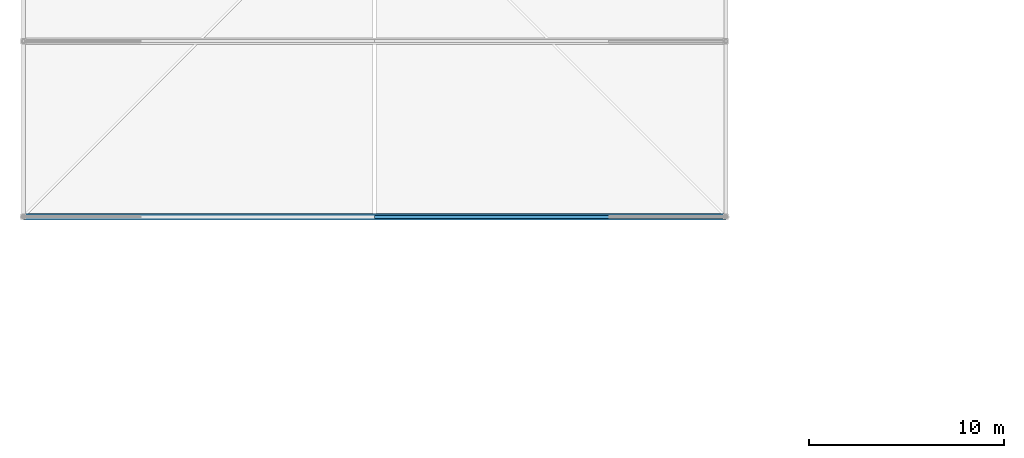
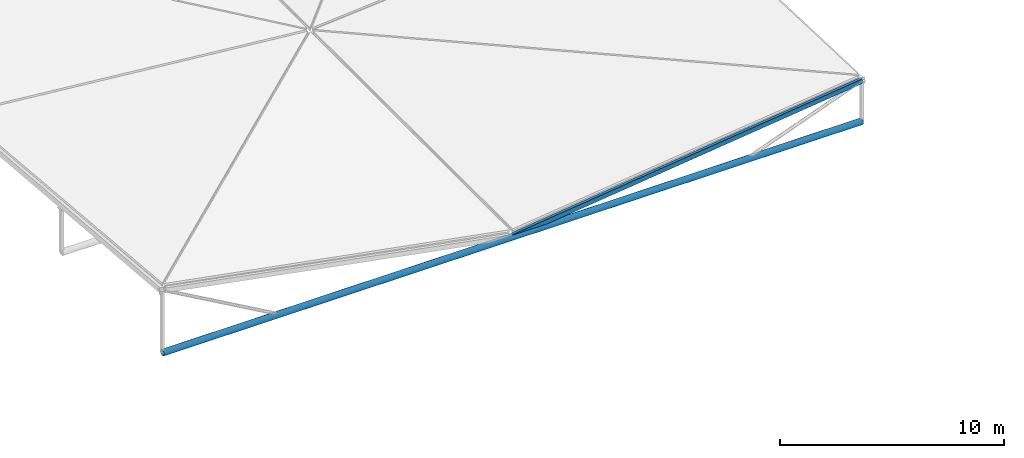
# One storey, part 4 of 44: 2 members.
"""IFC4 building model written with IfcOpenShell, lengths in metres."""

import ifcopenshell
import ifcopenshell.guid

model = None  # the IFC model being written
_history = None  # IfcOwnerHistory: only IFC2X3 demands one
_inside = {}  # id of a spatial element -> (the spatial element, [elements in it])
_under = {}  # id of a project, library or spatial element -> (it, [spatial elements below it])
_declared = {}  # id of a project -> (the project, [libraries it declares])
_typed = {}  # id of a type object -> (the type object, [elements of that type])
_made_of = {}  # id of a material, layer set ... -> (it, [elements and type objects made of it])


def new_model(schema):
    """Start an empty IFC model of exactly this schema.

    Asked for "IFC4X3", IfcOpenShell would pick the latest addendum, in which some entities
    have other attributes; the version numbers below select the first issue.
    IFC2X3 requires an IfcOwnerHistory on every rooted entity: one is made here for all.
    """
    global model, _history
    if schema == "IFC4X3":
        model = ifcopenshell.file(schema_version=(4, 3, 0, 0))
    else:
        model = ifcopenshell.file(schema=schema)
    _inside.clear()
    _under.clear()
    _declared.clear()
    _typed.clear()
    _made_of.clear()
    _history = None
    if model.schema == "IFC2X3":
        org = make("IfcOrganization", Name="unknown")
        user = make(
            "IfcPersonAndOrganization",
            ThePerson=make("IfcPerson", FamilyName="unknown"),
            TheOrganization=org,
        )
        app = make(
            "IfcApplication",
            ApplicationDeveloper=org,
            Version="unknown",
            ApplicationFullName="unknown",
            ApplicationIdentifier="unknown",
        )
        _history = make(
            "IfcOwnerHistory",
            OwningUser=user,
            OwningApplication=app,
            ChangeAction="ADDED",
            CreationDate=0,
        )
    return model


def make(cls, **values):
    """One entity of the class cls with the attributes given. An attribute that is None is left unset."""
    return model.create_entity(
        cls, **{name: value for name, value in values.items() if value is not None}
    )


def rooted(cls, **values):
    """An entity with a GlobalId (a new one), such as an element, a storey or a relation."""
    return make(cls, GlobalId=ifcopenshell.guid.new(), OwnerHistory=_history, **values)


def si_unit(unit_type, name, prefix=None):
    """IfcSIUnit, for example si_unit("LENGTHUNIT", "METRE", prefix="MILLI")."""
    return make("IfcSIUnit", UnitType=unit_type, Prefix=prefix, Name=name)


def assignment(units):
    """IfcUnitAssignment: the units of a project."""
    return None if units is None else make("IfcUnitAssignment", Units=units)


def point(xyz):
    """IfcCartesianPoint."""
    return None if xyz is None else make("IfcCartesianPoint", Coordinates=xyz)


def direction(xyz):
    """IfcDirection."""
    return None if xyz is None else make("IfcDirection", DirectionRatios=xyz)


def frame(location, z_axis=None, x_axis=None):
    """IfcAxis2Placement3D, a coordinate frame: its origin and axes. An axis left out is left unset."""
    return make(
        "IfcAxis2Placement3D",
        Location=point(location),
        Axis=direction(z_axis),
        RefDirection=direction(x_axis),
    )


def frame_2d(location, x_axis=None):
    """IfcAxis2Placement2D, a coordinate frame in the plane: its origin and x axis."""
    return make(
        "IfcAxis2Placement2D", Location=point(location), RefDirection=direction(x_axis)
    )


def origin():
    """The frame at (0, 0, 0) with its axes left unset."""
    return frame((0.0, 0.0, 0.0))


def origin_2d():
    """The frame at (0, 0) in the plane with its x axis left unset."""
    return frame_2d((0.0, 0.0))


def place(relative_to, where):
    """IfcLocalPlacement: puts the frame where relative to a parent placement (None: the world)."""
    return make(
        "IfcLocalPlacement", PlacementRelTo=relative_to, RelativePlacement=where
    )


def context(
    kind, dimensions, precision=None, world=None, true_north=None, identifier=None
):
    """IfcGeometricRepresentationContext, for example the 3D "Model" context."""
    return make(
        "IfcGeometricRepresentationContext",
        ContextIdentifier=identifier,
        ContextType=kind,
        CoordinateSpaceDimension=dimensions,
        Precision=precision,
        WorldCoordinateSystem=world,
        TrueNorth=true_north,
    )


def subcontext(parent, identifier, kind, view, scale=None):
    """IfcGeometricRepresentationSubContext, for example "Body" below "Model"."""
    return make(
        "IfcGeometricRepresentationSubContext",
        ContextIdentifier=identifier,
        ContextType=kind,
        ParentContext=parent,
        TargetScale=scale,
        TargetView=view,
    )


def project(units=None, contexts=None):
    """IfcProject with its units and contexts."""
    return rooted(
        "IfcProject",
        Name="project",
        RepresentationContexts=contexts,
        UnitsInContext=assignment(units),
    )


def spatial(cls, under=None, at=None, **own):
    """A site, building, storey or space (cls), placed at a placement, below another one or the project."""
    s = rooted(cls, ObjectPlacement=at, **own)
    if under is not None:
        _under.setdefault(under.id(), (under, []))[1].append(s)
    return s


def profile(cls, at=None, kind="AREA", **sizes):
    """A parametric profile (cls). Its sizes go by their IFC names, for example OverallWidth=200.0."""
    return make(cls, ProfileType=kind, Position=at, **sizes)


def hollow_rectangle(**sizes):
    """IfcRectangleHollowProfileDef."""
    return profile("IfcRectangleHollowProfileDef", **sizes)


def hollow_circle(**sizes):
    """IfcCircleHollowProfileDef."""
    return profile("IfcCircleHollowProfileDef", **sizes)


def extrude(swept, where, along, depth):
    """IfcExtrudedAreaSolid: the profile swept, set in the frame where, extruded along a direction by depth."""
    return make(
        "IfcExtrudedAreaSolid",
        SweptArea=swept,
        Position=where,
        ExtrudedDirection=direction(along),
        Depth=depth,
    )


def shape(context_of_items, identifier, shape_type, items):
    """IfcShapeRepresentation: the items that make up one representation, for example the "Body"."""
    return make(
        "IfcShapeRepresentation",
        ContextOfItems=context_of_items,
        RepresentationIdentifier=identifier,
        RepresentationType=shape_type,
        Items=items,
    )


def material(Name=None, Category=None):
    """IfcMaterial."""
    return make("IfcMaterial", Name=Name, Category=Category)


def material_profile(
    of_material, cross_section, Name=None, Category=None, Priority=None
):
    """IfcMaterialProfile: a cross section and its material."""
    return make(
        "IfcMaterialProfile",
        Name=Name,
        Material=of_material,
        Profile=cross_section,
        Priority=Priority,
        Category=Category,
    )


def profile_set(profiles, Name=None, composite=None):
    """IfcMaterialProfileSet."""
    return make(
        "IfcMaterialProfileSet",
        Name=Name,
        MaterialProfiles=profiles,
        CompositeProfile=composite,
    )


def made_of(thing, what):
    """Note that an element or type object is made of a material, layer set ...; save() writes the relation."""
    if what is not None:
        _made_of.setdefault(what.id(), (what, []))[1].append(thing)
    return thing


def type_object(cls, material=None, **own):
    """A type object (cls), such as IfcWallType, which elements share."""
    return made_of(rooted(cls, **own), material)


def element(
    cls,
    number,
    at=None,
    inside=None,
    cuts=None,
    type_object=None,
    material=None,
    context=None,
    identifier="Body",
    shape_type=None,
    held_by="IfcProductDefinitionShape",
    body=None,
    shapes=None,
    **own,
):
    """One element of the class cls, such as IfcWall. Its Tag is "e" and its number.

    at: its placement. inside: the storey or other place that contains it. cuts: it is an
    opening in that element (IfcRelVoidsElement). A single representation is given by context,
    identifier, shape_type and body (its items); several are given by shapes. held_by: the class
    of the entity that holds the representations. save() writes the other relations.
    """
    e = rooted(cls, Tag="e%d" % number, ObjectPlacement=at, **own)
    if body is not None:
        shapes = [shape(context, identifier, shape_type, body)]
    if shapes is not None:
        e.Representation = make(held_by, Representations=shapes)
    if inside is not None:
        _inside.setdefault(inside.id(), (inside, []))[1].append(e)
    if cuts is not None:
        rooted(
            "IfcRelVoidsElement", RelatingBuildingElement=cuts, RelatedOpeningElement=e
        )
    if type_object is not None:
        _typed.setdefault(type_object.id(), (type_object, []))[1].append(e)
    return made_of(e, material)


def aggregate(whole, parts):
    """IfcRelAggregates: a whole, such as a stair, and the parts it consists of."""
    return rooted("IfcRelAggregates", RelatingObject=whole, RelatedObjects=parts)


def save(model, path):
    """Write the relations noted so far, then the file.

    IfcRelAggregates (storeys below a building ...), IfcRelContainedInSpatialStructure (elements
    in a storey), IfcRelDefinesByType, IfcRelAssociatesMaterial and IfcRelDeclares: one each for
    every whole, place, type object, material and project.
    """
    for whole, parts in _under.values():
        aggregate(whole, parts)
    for where, things in _inside.values():
        rooted(
            "IfcRelContainedInSpatialStructure",
            RelatedElements=things,
            RelatingStructure=where,
        )
    for kind, things in _typed.values():
        rooted("IfcRelDefinesByType", RelatedObjects=things, RelatingType=kind)
    for what, things in _made_of.values():
        rooted("IfcRelAssociatesMaterial", RelatedObjects=things, RelatingMaterial=what)
    for by, libraries in _declared.values():
        rooted("IfcRelDeclares", RelatingContext=by, RelatedDefinitions=libraries)
    model.write(path)


model = new_model("IFC4")

# Units and contexts
model_context = context("Model", 3, precision=1e-05, world=origin(), true_north=direction((0.0, 1.0)))
body_context = subcontext(model_context, "Body", "Model", "MODEL_VIEW")
ifc_project = project(units=[si_unit("LENGTHUNIT", "METRE"), si_unit("AREAUNIT", "SQUARE_METRE"), si_unit("VOLUMEUNIT", "CUBIC_METRE"), si_unit("PLANEANGLEUNIT", "RADIAN"), si_unit("MASSUNIT", "GRAM", prefix="KILO")], contexts=[model_context])

# Site, building, storey
site_placement = place(None, origin())
site = spatial("IfcSite", under=ifc_project, at=site_placement, CompositionType="ELEMENT")
building_placement = place(site_placement, origin())
building = spatial("IfcBuilding", under=site, at=building_placement, Name="Deido Ridge Mobility Hub", CompositionType="ELEMENT")
storey_placement = place(building_placement, frame((0.0, 0.0, 25.199951171875)))
storey = spatial("IfcBuildingStorey", under=building, at=storey_placement, Name="L06", CompositionType="ELEMENT", Elevation=25.199951171875)

# Members
ifc_material = material(Name="Steel S355J2H EN 10210-1", Category="steel")
ifc_material_profile_1 = material_profile(ifc_material, hollow_circle(Radius=0.161865234375, WallThickness=0.012451171875, at=origin_2d()), Name="CHS 323.9x12.5")
ifc_profile_set_1 = profile_set([ifc_material_profile_1], Name="Steel S355J2H EN 10210-1")
member_type_1 = type_object("IfcMemberType", Name="MEM-CHD-CHS324", PredefinedType="CHORD", material=ifc_profile_set_1)
member_1_placement = place(storey_placement, frame((63.0, 45.0, 0.0), z_axis=(1.0, 0.0, 0.0), x_axis=(0.0, 1.0, 0.0)))
element("IfcMember", 1, at=member_1_placement, inside=storey, type_object=member_type_1, Name="Sports origami tie chord CH2", PredefinedType="CHORD", context=body_context, shape_type="SweptSolid", body=[
    extrude(hollow_circle(Radius=0.161865234375, WallThickness=0.012451171875, at=origin_2d()), origin(), (0.0, 0.0, 1.0), 36.0),
])
ifc_material_profile_2 = material_profile(ifc_material, hollow_rectangle(XDim=0.14990234375, YDim=0.25, WallThickness=0.010009765625, at=origin_2d()), Name="RHS 250x150x10")
ifc_profile_set_2 = profile_set([ifc_material_profile_2], Name="Steel S355J2H EN 10210-1")
member_type_2 = type_object("IfcMemberType", Name="MEM-RAF-RHS250", PredefinedType="RAFTER", material=ifc_profile_set_2)
member_2_placement = place(storey_placement, frame((81.0, 45.0, 0.050048828125), z_axis=(0.992811953776, 0.0, 0.11968468757), x_axis=(0.0, 1.0, 0.0)))
element("IfcMember", 2, at=member_2_placement, inside=storey, type_object=member_type_2, Name="Sports origami rafter RF1", PredefinedType="RAFTER", context=body_context, shape_type="SweptSolid", body=[
    extrude(hollow_rectangle(XDim=0.14990234375, YDim=0.25, WallThickness=0.010009765625, at=origin_2d()), origin(), (0.0, 0.0, 1.0), 18.13037109375),
])

save(model, "model.ifc")
